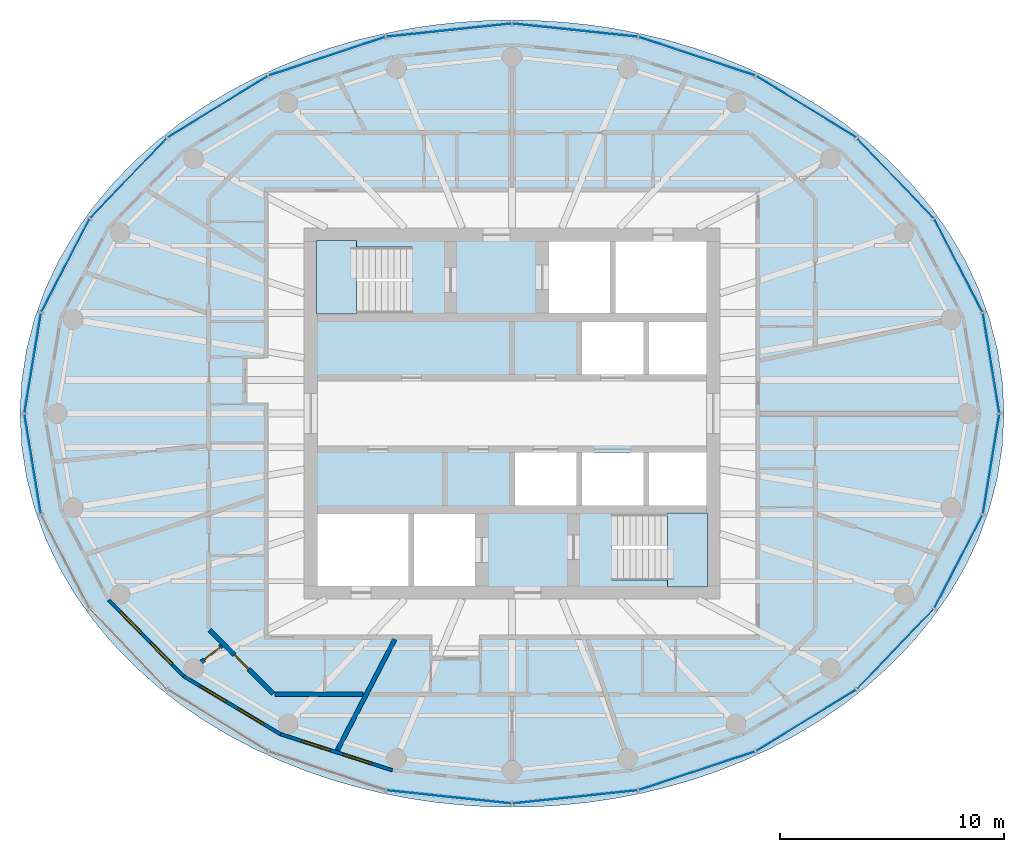
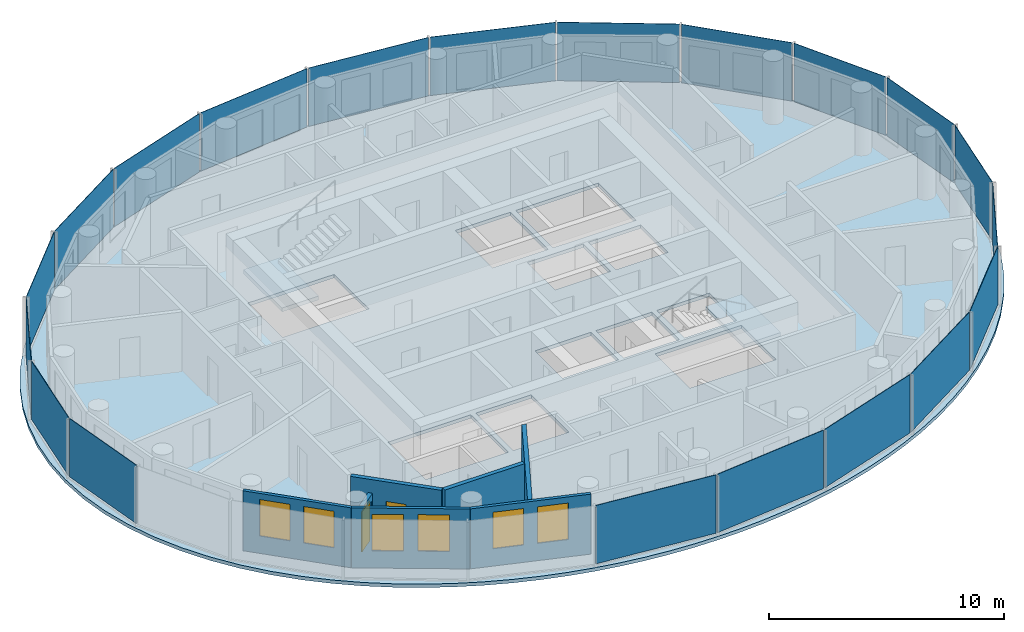
# One storey, part 4 of 11: 20 plates, 7 walls, 6 windows, 3 slabs, 2 doors, 8 openings, 6 elements without a shape of their own.
"""IFC4 building model written with IfcOpenShell, lengths in metres."""

from ifc_helpers import new_model, si_unit, direction, frame, frame_2d, origin, origin_2d, place, context, subcontext, project, spatial, polyline, rectangle, outline, extrude, material, layer, layer_set, type_object, element, fill, aggregate, save


model = new_model("IFC4")

# Units and contexts
model_context = context("Model", 3, precision=1e-05, world=origin(), true_north=direction((0.0, 1.0)))
body_context = subcontext(model_context, "Body", "Model", "MODEL_VIEW")
ifc_project = project(units=[si_unit("LENGTHUNIT", "METRE"), si_unit("AREAUNIT", "SQUARE_METRE"), si_unit("VOLUMEUNIT", "CUBIC_METRE"), si_unit("PLANEANGLEUNIT", "RADIAN"), si_unit("MASSUNIT", "GRAM", prefix="KILO")], contexts=[model_context])

# Site, building, storey
site_placement = place(None, origin())
site = spatial("IfcSite", under=ifc_project, at=site_placement, CompositionType="ELEMENT")
building_placement = place(site_placement, origin())
building = spatial("IfcBuilding", under=site, at=building_placement, Name="Hankou Lantern Tower", CompositionType="ELEMENT")
storey_placement = place(building_placement, frame((0.0, 0.0, 199.5)))
storey = spatial("IfcBuildingStorey", under=building, at=storey_placement, Name="L53", CompositionType="ELEMENT", Elevation=199.5)

# Curtain wall, plates
ifc_material_1 = material(Name="Glass, dark grey tinted laminated", Category="glass")
curtain_wall_type = type_object("IfcCurtainWallType", Name="CWD OUTER SKIN SUITE", PredefinedType="USERDEFINED", material=ifc_material_1)
curtain_wall_1_placement = place(storey_placement, origin())
curtain_wall_1 = element("IfcCurtainWall", 1, at=curtain_wall_1_placement, inside=storey, type_object=curtain_wall_type, Name="CWD L53 OS1", ObjectType="OUTER SKIN SUITE", PredefinedType="USERDEFINED")
ifc_material_2 = material(Name="Glass, dark grey tinted laminated", Category="glass")
ifc_layer_1 = layer(ifc_material_2, 0.02392578125)
ifc_layer_set_1 = layer_set([ifc_layer_1], Name="Glass, dark grey tinted laminated")
plate_type = type_object("IfcPlateType", Name="PN1 OUTER SKIN GLASS PANEL", PredefinedType="CURTAIN_PANEL", material=ifc_layer_set_1)
plate_1_placement = place(storey_placement, frame((21.4287109375, 2.2568359375, 0.080078125), z_axis=(0.0, 0.0, 1.0), x_axis=(-0.162381515188, 0.986728049427, 0.0)))
plate_1 = element("IfcPlate", 2, at=plate_1_placement, type_object=plate_type, Name="CWD glass panel 1", PredefinedType="CURTAIN_PANEL", context=body_context, shape_type="SweptSolid", body=[
    extrude(rectangle(XDim=4.49462890625, YDim=0.02392578125, at=origin_2d()), origin(), (0.0, 0.0, 1.0), 3.0400390625),
])
plate_2_placement = place(storey_placement, frame((19.96826171875, 6.616943359375, 0.080078125), z_axis=(0.0, 0.0, 1.0), x_axis=(-0.459791091957, 0.888027112062, 0.0)))
plate_2 = element("IfcPlate", 3, at=plate_2_placement, type_object=plate_type, Name="CWD glass panel 2", PredefinedType="CURTAIN_PANEL", context=body_context, shape_type="SweptSolid", body=[
    extrude(rectangle(XDim=4.656494140625, YDim=0.02392578125, at=origin_2d()), origin(), (0.0, 0.0, 1.0), 3.0400390625),
])
plate_3_placement = place(storey_placement, frame((17.147216796875, 10.52587890625, 0.080078125), z_axis=(0.0, 0.0, 1.0), x_axis=(-0.692215809936, 0.721690565599, 0.0)))
plate_3 = element("IfcPlate", 4, at=plate_3_placement, type_object=plate_type, Name="CWD glass panel 3", PredefinedType="CURTAIN_PANEL", context=body_context, shape_type="SweptSolid", body=[
    extrude(rectangle(XDim=4.9248046875, YDim=0.02392578125, at=origin_2d()), origin(), (0.0, 0.0, 1.0), 3.0400390625),
])
plate_4_placement = place(storey_placement, frame((13.157470703125, 13.7177734375, 0.080078125), z_axis=(0.0, 0.0, 1.0), x_axis=(-0.852237151549, 0.523155653242, 0.0)))
plate_4 = element("IfcPlate", 5, at=plate_4_placement, type_object=plate_type, Name="CWD glass panel 4", PredefinedType="CURTAIN_PANEL", context=body_context, shape_type="SweptSolid", body=[
    extrude(rectangle(XDim=5.2177734375, YDim=0.02392578125, at=origin_2d()), origin(), (0.0, 0.0, 1.0), 3.0400390625),
])
plate_5_placement = place(storey_placement, frame((8.271240234375, 15.974609375, 0.080078125), z_axis=(0.0, 0.0, 1.0), x_axis=(-0.949240677293, 0.31455068999, 0.0)))
plate_5 = element("IfcPlate", 6, at=plate_5_placement, type_object=plate_type, Name="CWD glass panel 5", PredefinedType="CURTAIN_PANEL", context=body_context, shape_type="SweptSolid", body=[
    extrude(rectangle(XDim=5.458984375, YDim=0.02392578125, at=origin_2d()), origin(), (0.0, 0.0, 1.0), 3.0400390625),
])
plate_6_placement = place(storey_placement, frame((2.821044921875, 17.142822265625, 0.080078125), z_axis=(0.0, 0.0, 1.0), x_axis=(-0.994499359107, 0.104742659579, 0.0)))
plate_6 = element("IfcPlate", 7, at=plate_6_placement, type_object=plate_type, Name="CWD glass panel 6", PredefinedType="CURTAIN_PANEL", context=body_context, shape_type="SweptSolid", body=[
    extrude(rectangle(XDim=5.593505859375, YDim=0.02392578125, at=origin_2d()), origin(), (0.0, 0.0, 1.0), 3.0400390625),
])
aggregate(curtain_wall_1, [plate_1, plate_2, plate_3, plate_4, plate_5, plate_6])

curtain_wall_2_placement = place(storey_placement, origin())
curtain_wall_2 = element("IfcCurtainWall", 8, at=curtain_wall_2_placement, inside=storey, type_object=curtain_wall_type, Name="CWD L53 OS2", ObjectType="OUTER SKIN SUITE", PredefinedType="USERDEFINED")
plate_7_placement = place(storey_placement, frame((-2.821044921875, 17.142822265625, 0.080078125), z_axis=(0.0, 0.0, 1.0), x_axis=(-0.994499359107, -0.104742659579, 0.0)))
plate_7 = element("IfcPlate", 9, at=plate_7_placement, type_object=plate_type, Name="CWD glass panel 1", PredefinedType="CURTAIN_PANEL", context=body_context, shape_type="SweptSolid", body=[
    extrude(rectangle(XDim=5.593505859375, YDim=0.02392578125, at=origin_2d()), origin(), (0.0, 0.0, 1.0), 3.0400390625),
])
plate_8_placement = place(storey_placement, frame((-8.271240234375, 15.974609375, 0.080078125), z_axis=(0.0, 0.0, 1.0), x_axis=(-0.949240677293, -0.31455068999, 0.0)))
plate_8 = element("IfcPlate", 10, at=plate_8_placement, type_object=plate_type, Name="CWD glass panel 2", PredefinedType="CURTAIN_PANEL", context=body_context, shape_type="SweptSolid", body=[
    extrude(rectangle(XDim=5.458984375, YDim=0.02392578125, at=origin_2d()), origin(), (0.0, 0.0, 1.0), 3.0400390625),
])
plate_9_placement = place(storey_placement, frame((-13.157470703125, 13.7177734375, 0.080078125), z_axis=(0.0, 0.0, 1.0), x_axis=(-0.852237151549, -0.523155653242, 0.0)))
plate_9 = element("IfcPlate", 11, at=plate_9_placement, type_object=plate_type, Name="CWD glass panel 3", PredefinedType="CURTAIN_PANEL", context=body_context, shape_type="SweptSolid", body=[
    extrude(rectangle(XDim=5.2177734375, YDim=0.02392578125, at=origin_2d()), origin(), (0.0, 0.0, 1.0), 3.0400390625),
])
plate_10_placement = place(storey_placement, frame((-17.147216796875, 10.52587890625, 0.080078125), z_axis=(0.0, 0.0, 1.0), x_axis=(-0.692215809936, -0.721690565599, 0.0)))
plate_10 = element("IfcPlate", 12, at=plate_10_placement, type_object=plate_type, Name="CWD glass panel 4", PredefinedType="CURTAIN_PANEL", context=body_context, shape_type="SweptSolid", body=[
    extrude(rectangle(XDim=4.9248046875, YDim=0.02392578125, at=origin_2d()), origin(), (0.0, 0.0, 1.0), 3.0400390625),
])
plate_11_placement = place(storey_placement, frame((-19.96826171875, 6.616943359375, 0.080078125), z_axis=(0.0, 0.0, 1.0), x_axis=(-0.459791091957, -0.888027112062, 0.0)))
plate_11 = element("IfcPlate", 13, at=plate_11_placement, type_object=plate_type, Name="CWD glass panel 5", PredefinedType="CURTAIN_PANEL", context=body_context, shape_type="SweptSolid", body=[
    extrude(rectangle(XDim=4.656494140625, YDim=0.02392578125, at=origin_2d()), origin(), (0.0, 0.0, 1.0), 3.0400390625),
])
plate_12_placement = place(storey_placement, frame((-21.4287109375, 2.2568359375, 0.080078125), z_axis=(0.0, 0.0, 1.0), x_axis=(-0.162381515188, -0.986728049427, 0.0)))
plate_12 = element("IfcPlate", 14, at=plate_12_placement, type_object=plate_type, Name="CWD glass panel 6", PredefinedType="CURTAIN_PANEL", context=body_context, shape_type="SweptSolid", body=[
    extrude(rectangle(XDim=4.49462890625, YDim=0.02392578125, at=origin_2d()), origin(), (0.0, 0.0, 1.0), 3.0400390625),
])
aggregate(curtain_wall_2, [plate_7, plate_8, plate_9, plate_10, plate_11, plate_12])

curtain_wall_3_placement = place(storey_placement, origin())
curtain_wall_3 = element("IfcCurtainWall", 15, at=curtain_wall_3_placement, inside=storey, type_object=curtain_wall_type, Name="CWD L53 OS3", ObjectType="OUTER SKIN SUITE", PredefinedType="USERDEFINED")
plate_13_placement = place(storey_placement, frame((-21.4287109375, -2.2568359375, 0.080078125), z_axis=(0.0, 0.0, 1.0), x_axis=(0.162381515188, -0.986728049427, 0.0)))
plate_13 = element("IfcPlate", 16, at=plate_13_placement, type_object=plate_type, Name="CWD glass panel 1", PredefinedType="CURTAIN_PANEL", context=body_context, shape_type="SweptSolid", body=[
    extrude(rectangle(XDim=4.49462890625, YDim=0.02392578125, at=origin_2d()), origin(), (0.0, 0.0, 1.0), 3.0400390625),
])
plate_14_placement = place(storey_placement, frame((-2.821044921875, -17.142822265625, 0.080078125), z_axis=(0.0, 0.0, 1.0), x_axis=(0.994499359107, -0.104742659579, 0.0)))
plate_14 = element("IfcPlate", 17, at=plate_14_placement, type_object=plate_type, Name="CWD glass panel 6", PredefinedType="CURTAIN_PANEL", context=body_context, shape_type="SweptSolid", body=[
    extrude(rectangle(XDim=5.593505859375, YDim=0.02392578125, at=origin_2d()), origin(), (0.0, 0.0, 1.0), 3.0400390625),
])
aggregate(curtain_wall_3, [plate_13, plate_14])

curtain_wall_4_placement = place(storey_placement, origin())
curtain_wall_4 = element("IfcCurtainWall", 18, at=curtain_wall_4_placement, inside=storey, type_object=curtain_wall_type, Name="CWD L53 OS4", ObjectType="OUTER SKIN SUITE", PredefinedType="USERDEFINED")
plate_15_placement = place(storey_placement, frame((2.821044921875, -17.142822265625, 0.080078125), z_axis=(0.0, 0.0, 1.0), x_axis=(0.994499359107, 0.104742659579, 0.0)))
plate_15 = element("IfcPlate", 19, at=plate_15_placement, type_object=plate_type, Name="CWD glass panel 1", PredefinedType="CURTAIN_PANEL", context=body_context, shape_type="SweptSolid", body=[
    extrude(rectangle(XDim=5.593505859375, YDim=0.02392578125, at=origin_2d()), origin(), (0.0, 0.0, 1.0), 3.0400390625),
])
plate_16_placement = place(storey_placement, frame((8.271240234375, -15.974609375, 0.080078125), z_axis=(0.0, 0.0, 1.0), x_axis=(0.949240677293, 0.31455068999, 0.0)))
plate_16 = element("IfcPlate", 20, at=plate_16_placement, type_object=plate_type, Name="CWD glass panel 2", PredefinedType="CURTAIN_PANEL", context=body_context, shape_type="SweptSolid", body=[
    extrude(rectangle(XDim=5.458984375, YDim=0.02392578125, at=origin_2d()), origin(), (0.0, 0.0, 1.0), 3.0400390625),
])
plate_17_placement = place(storey_placement, frame((13.157470703125, -13.7177734375, 0.080078125), z_axis=(0.0, 0.0, 1.0), x_axis=(0.852237151549, 0.523155653242, 0.0)))
plate_17 = element("IfcPlate", 21, at=plate_17_placement, type_object=plate_type, Name="CWD glass panel 3", PredefinedType="CURTAIN_PANEL", context=body_context, shape_type="SweptSolid", body=[
    extrude(rectangle(XDim=5.2177734375, YDim=0.02392578125, at=origin_2d()), origin(), (0.0, 0.0, 1.0), 3.0400390625),
])
plate_18_placement = place(storey_placement, frame((17.147216796875, -10.52587890625, 0.080078125), z_axis=(0.0, 0.0, 1.0), x_axis=(0.692215809936, 0.721690565599, 0.0)))
plate_18 = element("IfcPlate", 22, at=plate_18_placement, type_object=plate_type, Name="CWD glass panel 4", PredefinedType="CURTAIN_PANEL", context=body_context, shape_type="SweptSolid", body=[
    extrude(rectangle(XDim=4.9248046875, YDim=0.02392578125, at=origin_2d()), origin(), (0.0, 0.0, 1.0), 3.0400390625),
])
plate_19_placement = place(storey_placement, frame((19.96826171875, -6.616943359375, 0.080078125), z_axis=(0.0, 0.0, 1.0), x_axis=(0.459791091957, 0.888027112062, 0.0)))
plate_19 = element("IfcPlate", 23, at=plate_19_placement, type_object=plate_type, Name="CWD glass panel 5", PredefinedType="CURTAIN_PANEL", context=body_context, shape_type="SweptSolid", body=[
    extrude(rectangle(XDim=4.656494140625, YDim=0.02392578125, at=origin_2d()), origin(), (0.0, 0.0, 1.0), 3.0400390625),
])
plate_20_placement = place(storey_placement, frame((21.4287109375, -2.2568359375, 0.080078125), z_axis=(0.0, 0.0, 1.0), x_axis=(0.162381515188, 0.986728049427, 0.0)))
plate_20 = element("IfcPlate", 24, at=plate_20_placement, type_object=plate_type, Name="CWD glass panel 6", PredefinedType="CURTAIN_PANEL", context=body_context, shape_type="SweptSolid", body=[
    extrude(rectangle(XDim=4.49462890625, YDim=0.02392578125, at=origin_2d()), origin(), (0.0, 0.0, 1.0), 3.0400390625),
])
aggregate(curtain_wall_4, [plate_15, plate_16, plate_17, plate_18, plate_19, plate_20])

# Slab
ifc_material_3 = material(Name="Concrete C50", Category="concrete")
ifc_layer_2 = layer(ifc_material_3, 0.179931640625)
ifc_layer_set_2 = layer_set([ifc_layer_2], Name="Concrete C50")
slab_type_1 = type_object("IfcSlabType", Name="S1 CONCRETE FLOOR SLAB 180", PredefinedType="FLOOR", material=ifc_layer_set_2)
slab_1_placement = place(storey_placement, frame((0.0, 0.0, -0.179931640625)))
element("IfcSlab", 25, at=slab_1_placement, inside=storey, type_object=slab_type_1, Name="Floor slab L53", PredefinedType="FLOOR", context=body_context, shape_type="SweptSolid", body=[
    extrude(outline(polyline([(22.0, 0.0), (21.926513671875, 1.437255859375), (21.7080078125, 2.85791015625), (21.349853515625, 4.246826171875), (20.861083984375, 5.589599609375), (20.252197265625, 6.874755859375), (19.53662109375, 8.09228515625), (18.727783203125, 9.235595703125), (17.83935546875, 10.299560546875), (16.88525390625, 11.2822265625), (15.877197265625, 12.18310546875), (14.82666015625, 13.002685546875), (13.743408203125, 13.743408203125), (12.63525390625, 14.40771484375), (11.509521484375, 14.999267578125), (10.37109375, 15.521728515625), (9.224853515625, 15.97802734375), (8.07373046875, 16.3720703125), (6.920166015625, 16.70654296875), (5.765625, 16.98486328125), (4.611083984375, 17.208984375), (3.457275390625, 17.38134765625), (2.304443359375, 17.503173828125), (1.152099609375, 17.575927734375), (0.0, 17.60009765625), (-1.152099609375, 17.575927734375), (-2.304443359375, 17.503173828125), (-3.457275390625, 17.38134765625), (-4.611083984375, 17.208984375), (-5.765625, 16.98486328125), (-6.920166015625, 16.70654296875), (-8.07373046875, 16.3720703125), (-9.224853515625, 15.97802734375), (-10.37109375, 15.521728515625), (-11.509521484375, 14.999267578125), (-12.63525390625, 14.40771484375), (-13.743408203125, 13.743408203125), (-14.82666015625, 13.002685546875), (-15.877197265625, 12.18310546875), (-16.88525390625, 11.2822265625), (-17.83935546875, 10.299560546875), (-18.727783203125, 9.235595703125), (-19.53662109375, 8.09228515625), (-20.252197265625, 6.874755859375), (-20.861083984375, 5.589599609375), (-21.349853515625, 4.246826171875), (-21.7080078125, 2.85791015625), (-21.926513671875, 1.437255859375), (-22.0, 0.0), (-21.926513671875, -1.437255859375), (-21.7080078125, -2.85791015625), (-21.349853515625, -4.246826171875), (-20.861083984375, -5.589599609375), (-20.252197265625, -6.874755859375), (-19.53662109375, -8.09228515625), (-18.727783203125, -9.235595703125), (-17.83935546875, -10.299560546875), (-16.88525390625, -11.2822265625), (-15.877197265625, -12.18310546875), (-14.82666015625, -13.002685546875), (-13.743408203125, -13.743408203125), (-12.63525390625, -14.40771484375), (-11.509521484375, -14.999267578125), (-10.37109375, -15.521728515625), (-9.224853515625, -15.97802734375), (-8.07373046875, -16.3720703125), (-6.920166015625, -16.70654296875), (-5.765625, -16.98486328125), (-4.611083984375, -17.208984375), (-3.457275390625, -17.38134765625), (-2.304443359375, -17.503173828125), (-1.152099609375, -17.575927734375), (0.0, -17.60009765625), (1.152099609375, -17.575927734375), (2.304443359375, -17.503173828125), (3.457275390625, -17.38134765625), (4.611083984375, -17.208984375), (5.765625, -16.98486328125), (6.920166015625, -16.70654296875), (8.07373046875, -16.3720703125), (9.224853515625, -15.97802734375), (10.37109375, -15.521728515625), (11.509521484375, -14.999267578125), (12.63525390625, -14.40771484375), (13.743408203125, -13.743408203125), (14.82666015625, -13.002685546875), (15.877197265625, -12.18310546875), (16.88525390625, -11.2822265625), (17.83935546875, -10.299560546875), (18.727783203125, -9.235595703125), (19.53662109375, -8.09228515625), (20.252197265625, -6.874755859375), (20.861083984375, -5.589599609375), (21.349853515625, -4.246826171875), (21.7080078125, -2.85791015625), (21.926513671875, -1.437255859375), (22.0, 0.0)]), holes=[polyline([(3.125, 4.10009765625), (5.875, 4.10009765625), (5.875, 1.75), (3.125, 1.75), (3.125, 4.10009765625)]), polyline([(6.125, 4.10009765625), (8.699951171875, 4.10009765625), (8.699951171875, 1.75), (6.125, 1.75), (6.125, 4.10009765625)]), polyline([(0.125, -1.75), (2.875, -1.75), (2.875, -4.10009765625), (0.125, -4.10009765625), (0.125, -1.75)]), polyline([(3.125, -1.75), (5.875, -1.75), (5.875, -4.10009765625), (3.125, -4.10009765625), (3.125, -1.75)]), polyline([(6.125, -1.75), (8.699951171875, -1.75), (8.699951171875, -4.10009765625), (6.125, -4.10009765625), (6.125, -1.75)]), polyline([(1.64990234375, 7.699951171875), (4.375, 7.699951171875), (4.375, 4.5), (1.64990234375, 4.5), (1.64990234375, 7.699951171875)]), polyline([(-4.375, -4.5), (-1.64990234375, -4.5), (-1.64990234375, -7.699951171875), (-4.375, -7.699951171875), (-4.375, -4.5)]), polyline([(-8.699951171875, 7.449951171875), (-4.449951171875, 7.449951171875), (-4.449951171875, 4.5), (-8.699951171875, 4.5), (-8.699951171875, 7.449951171875)]), polyline([(4.449951171875, -4.5), (8.699951171875, -4.5), (8.699951171875, -7.449951171875), (4.449951171875, -7.449951171875), (4.449951171875, -4.5)]), polyline([(4.625, 7.699951171875), (8.699951171875, 7.699951171875), (8.699951171875, 4.5), (4.625, 4.5), (4.625, 7.699951171875)]), polyline([(-8.699951171875, -4.5), (-4.625, -4.5), (-4.625, -7.699951171875), (-8.699951171875, -7.699951171875), (-8.699951171875, -4.5)])]), origin(), (0.0, 0.0, 1.0), 0.179931640625),
])

# Stair, slab
ifc_material_4 = material(Name="Concrete C40", Category="concrete")
stair_type = type_object("IfcStairType", Name="ST33 CORE STAIR 3300 RISE", PredefinedType="HALF_TURN_STAIR", material=ifc_material_4)
stair_1_placement = place(storey_placement, origin())
stair_1 = element("IfcStair", 26, at=stair_1_placement, inside=storey, type_object=stair_type, Name="Stair STA L53", PredefinedType="HALF_TURN_STAIR")
ifc_material_5 = material(Name="Concrete C40", Category="concrete")
ifc_layer_3 = layer(ifc_material_5, 0.199951171875)
ifc_layer_set_3 = layer_set([ifc_layer_3], Name="Concrete C40")
slab_type_2 = type_object("IfcSlabType", Name="SL1 STAIR LANDING 200", PredefinedType="LANDING", material=ifc_layer_set_3)
slab_2_placement = place(storey_placement, frame((0.0, 0.0, 1.371337890625)))
slab_2 = element("IfcSlab", 27, at=slab_2_placement, type_object=slab_type_2, Name="STA landing 1", PredefinedType="LANDING", context=body_context, shape_type="SweptSolid", body=[
    extrude(outline(polyline([(-8.75, 4.449951171875), (-6.949951171875, 4.449951171875), (-6.949951171875, 7.75), (-8.75, 7.75), (-8.75, 4.449951171875)])), origin(), (0.0, 0.0, 1.0), 0.2001953125),
])
aggregate(stair_1, [slab_2])

stair_2_placement = place(storey_placement, origin())
stair_2 = element("IfcStair", 28, at=stair_2_placement, inside=storey, type_object=stair_type, Name="Stair STB L53", PredefinedType="HALF_TURN_STAIR")
slab_3_placement = place(storey_placement, frame((0.0, 0.0, 1.371337890625)))
slab_3 = element("IfcSlab", 29, at=slab_3_placement, type_object=slab_type_2, Name="STB landing 1", PredefinedType="LANDING", context=body_context, shape_type="SweptSolid", body=[
    extrude(outline(polyline([(8.75, -4.449951171875), (6.949951171875, -4.449951171875), (6.949951171875, -7.75), (8.75, -7.75), (8.75, -4.449951171875)])), origin(), (0.0, 0.0, 1.0), 0.2001953125),
])
aggregate(stair_2, [slab_3])

# Wall, openings, windows
ifc_material_6 = material(Name="Aluminium spandrel panel on steel studs", Category="steel")
ifc_layer_4 = layer(ifc_material_6, 0.14990234375)
ifc_layer_set_4 = layer_set([ifc_layer_4], Name="Aluminium spandrel panel on steel studs")
wall_type_1 = type_object("IfcWallType", Name="EW1 INNER SKIN WALL 150", PredefinedType="ELEMENTEDWALL", material=ifc_layer_set_4)
wall_1_placement = place(storey_placement, frame((-18.03955078125, -8.33203125, 0.0), z_axis=(0.0, 0.0, 1.0), x_axis=(0.701527379618, -0.712642501993, 0.0)))
wall_1 = element("IfcWall", 30, at=wall_1_placement, inside=storey, type_object=wall_type_1, Name="Inner skin R15-R16 L53", PredefinedType="ELEMENTEDWALL", context=body_context, shape_type="SweptSolid", body=[
    extrude(rectangle(XDim=4.788330078125, YDim=0.14990234375, at=frame_2d((2.39404296875, 0.0))), origin(), (0.0, 0.0, 1.0), 3.1201171875),
])
opening_1_placement = place(wall_1_placement, frame((0.744140625, 0.0, 0.89990234375)))
opening_1 = element("IfcOpeningElement", 31, at=opening_1_placement, cuts=wall_1, Name="Opening W4", PredefinedType="OPENING", context=body_context, shape_type="SweptSolid", body=[
    extrude(rectangle(XDim=1.35009765625, YDim=1.89990234375, at=frame_2d((0.675048828125, 0.949951171875))), frame((0.0, 0.0849609375, 0.0), z_axis=(0.0, -1.0, 0.0), x_axis=(1.0, 0.0, 0.0)), (0.0, 0.0, 1.0), 0.169921875),
])
opening_2_placement = place(wall_1_placement, frame((2.694091796875, 0.0, 0.89990234375)))
opening_2 = element("IfcOpeningElement", 32, at=opening_2_placement, cuts=wall_1, Name="Opening W4", PredefinedType="OPENING", context=body_context, shape_type="SweptSolid", body=[
    extrude(rectangle(XDim=1.35009765625, YDim=1.89990234375, at=frame_2d((0.675048828125, 0.949951171875))), frame((0.0, 0.0849609375, 0.0), z_axis=(0.0, -1.0, 0.0), x_axis=(1.0, 0.0, 0.0)), (0.0, 0.0, 1.0), 0.169921875),
])
ifc_material_7 = material(Name="Aluminium framed double glazed window", Category="aluminium")
window_type = type_object("IfcWindowType", Name="W4 SUITE WINDOW 1350X1900", PartitioningType="DOUBLE_PANEL_VERTICAL", PredefinedType="WINDOW", material=ifc_material_7)
window_1_placement = place(opening_1_placement, origin())
window_1 = element("IfcWindow", 33, at=window_1_placement, inside=storey, type_object=window_type, Name="Window R15.1 L53", OverallHeight=1.89990234375, OverallWidth=1.35009765625, PartitioningType="SINGLE_PANEL", PredefinedType="WINDOW", context=body_context, shape_type="SweptSolid", body=[
    extrude(rectangle(XDim=1.35009765625, YDim=1.89990234375, at=frame_2d((0.675048828125, 0.949951171875))), frame((0.0, 0.030029296875, 0.0), z_axis=(0.0, -1.0, 0.0), x_axis=(1.0, 0.0, 0.0)), (0.0, 0.0, 1.0), 0.06005859375),
])
fill(opening_1, window_1)
window_2_placement = place(opening_2_placement, origin())
window_2 = element("IfcWindow", 34, at=window_2_placement, inside=storey, type_object=window_type, Name="Window R15.2 L53", OverallHeight=1.89990234375, OverallWidth=1.35009765625, PartitioningType="SINGLE_PANEL", PredefinedType="WINDOW", context=body_context, shape_type="SweptSolid", body=[
    extrude(rectangle(XDim=1.35009765625, YDim=1.89990234375, at=frame_2d((0.675048828125, 0.949951171875))), frame((0.0, 0.030029296875, 0.0), z_axis=(0.0, -1.0, 0.0), x_axis=(1.0, 0.0, 0.0)), (0.0, 0.0, 1.0), 0.06005859375),
])
fill(opening_2, window_2)

wall_2_placement = place(storey_placement, frame((-14.680419921875, -11.744384765625, 0.0), z_axis=(0.0, 0.0, 1.0), x_axis=(0.85822150553, -0.513279502265, 0.0)))
wall_2 = element("IfcWall", 35, at=wall_2_placement, inside=storey, type_object=wall_type_1, Name="Inner skin R16-R17 L53", PredefinedType="ELEMENTEDWALL", context=body_context, shape_type="SweptSolid", body=[
    extrude(rectangle(XDim=5.050048828125, YDim=0.14990234375, at=frame_2d((2.52490234375, 0.0))), origin(), (0.0, 0.0, 1.0), 3.1201171875),
])
opening_3_placement = place(wall_2_placement, frame((0.875, 0.0, 0.89990234375)))
opening_3 = element("IfcOpeningElement", 36, at=opening_3_placement, cuts=wall_2, Name="Opening W4", PredefinedType="OPENING", context=body_context, shape_type="SweptSolid", body=[
    extrude(rectangle(XDim=1.35009765625, YDim=1.89990234375, at=frame_2d((0.675048828125, 0.949951171875))), frame((0.0, 0.0849609375, 0.0), z_axis=(0.0, -1.0, 0.0), x_axis=(1.0, 0.0, 0.0)), (0.0, 0.0, 1.0), 0.169921875),
])
opening_4_placement = place(wall_2_placement, frame((2.824951171875, 0.0, 0.89990234375)))
opening_4 = element("IfcOpeningElement", 37, at=opening_4_placement, cuts=wall_2, Name="Opening W4", PredefinedType="OPENING", context=body_context, shape_type="SweptSolid", body=[
    extrude(rectangle(XDim=1.35009765625, YDim=1.89990234375, at=frame_2d((0.675048828125, 0.949951171875))), frame((0.0, 0.0849609375, 0.0), z_axis=(0.0, -1.0, 0.0), x_axis=(1.0, 0.0, 0.0)), (0.0, 0.0, 1.0), 0.169921875),
])
window_3_placement = place(opening_3_placement, origin())
window_3 = element("IfcWindow", 38, at=window_3_placement, inside=storey, type_object=window_type, Name="Window R16.1 L53", OverallHeight=1.89990234375, OverallWidth=1.35009765625, PartitioningType="SINGLE_PANEL", PredefinedType="WINDOW", context=body_context, shape_type="SweptSolid", body=[
    extrude(rectangle(XDim=1.35009765625, YDim=1.89990234375, at=frame_2d((0.675048828125, 0.949951171875))), frame((0.0, 0.030029296875, 0.0), z_axis=(0.0, -1.0, 0.0), x_axis=(1.0, 0.0, 0.0)), (0.0, 0.0, 1.0), 0.06005859375),
])
fill(opening_3, window_3)
window_4_placement = place(opening_4_placement, origin())
window_4 = element("IfcWindow", 39, at=window_4_placement, inside=storey, type_object=window_type, Name="Window R16.2 L53", OverallHeight=1.89990234375, OverallWidth=1.35009765625, PartitioningType="SINGLE_PANEL", PredefinedType="WINDOW", context=body_context, shape_type="SweptSolid", body=[
    extrude(rectangle(XDim=1.35009765625, YDim=1.89990234375, at=frame_2d((0.675048828125, 0.949951171875))), frame((0.0, 0.030029296875, 0.0), z_axis=(0.0, -1.0, 0.0), x_axis=(1.0, 0.0, 0.0)), (0.0, 0.0, 1.0), 0.06005859375),
])
fill(opening_4, window_4)

wall_3_placement = place(storey_placement, frame((-10.346435546875, -14.33642578125, 0.0), z_axis=(0.0, 0.0, 1.0), x_axis=(0.951644702515, -0.307200846638, 0.0)))
wall_3 = element("IfcWall", 40, at=wall_3_placement, inside=storey, type_object=wall_type_1, Name="Inner skin R17-R18 L53", PredefinedType="ELEMENTEDWALL", context=body_context, shape_type="SweptSolid", body=[
    extrude(rectangle(XDim=5.2578125, YDim=0.14990234375, at=frame_2d((2.62890625, 0.0))), origin(), (0.0, 0.0, 1.0), 3.1201171875),
])
opening_5_placement = place(wall_3_placement, frame((0.97900390625, 0.0, 0.89990234375)))
opening_5 = element("IfcOpeningElement", 41, at=opening_5_placement, cuts=wall_3, Name="Opening W4", PredefinedType="OPENING", context=body_context, shape_type="SweptSolid", body=[
    extrude(rectangle(XDim=1.35009765625, YDim=1.89990234375, at=frame_2d((0.675048828125, 0.949951171875))), frame((0.0, 0.0849609375, 0.0), z_axis=(0.0, -1.0, 0.0), x_axis=(1.0, 0.0, 0.0)), (0.0, 0.0, 1.0), 0.169921875),
])
opening_6_placement = place(wall_3_placement, frame((2.928955078125, 0.0, 0.89990234375)))
opening_6 = element("IfcOpeningElement", 42, at=opening_6_placement, cuts=wall_3, Name="Opening W4", PredefinedType="OPENING", context=body_context, shape_type="SweptSolid", body=[
    extrude(rectangle(XDim=1.35009765625, YDim=1.89990234375, at=frame_2d((0.675048828125, 0.949951171875))), frame((0.0, 0.0849609375, 0.0), z_axis=(0.0, -1.0, 0.0), x_axis=(1.0, 0.0, 0.0)), (0.0, 0.0, 1.0), 0.169921875),
])
window_5_placement = place(opening_5_placement, origin())
window_5 = element("IfcWindow", 43, at=window_5_placement, inside=storey, type_object=window_type, Name="Window R17.1 L53", OverallHeight=1.89990234375, OverallWidth=1.35009765625, PartitioningType="SINGLE_PANEL", PredefinedType="WINDOW", context=body_context, shape_type="SweptSolid", body=[
    extrude(rectangle(XDim=1.35009765625, YDim=1.89990234375, at=frame_2d((0.675048828125, 0.949951171875))), frame((0.0, 0.030029296875, 0.0), z_axis=(0.0, -1.0, 0.0), x_axis=(1.0, 0.0, 0.0)), (0.0, 0.0, 1.0), 0.06005859375),
])
fill(opening_5, window_5)
window_6_placement = place(opening_6_placement, origin())
window_6 = element("IfcWindow", 44, at=window_6_placement, inside=storey, type_object=window_type, Name="Window R17.2 L53", OverallHeight=1.89990234375, OverallWidth=1.35009765625, PartitioningType="SINGLE_PANEL", PredefinedType="WINDOW", context=body_context, shape_type="SweptSolid", body=[
    extrude(rectangle(XDim=1.35009765625, YDim=1.89990234375, at=frame_2d((0.675048828125, 0.949951171875))), frame((0.0, 0.030029296875, 0.0), z_axis=(0.0, -1.0, 0.0), x_axis=(1.0, 0.0, 0.0)), (0.0, 0.0, 1.0), 0.06005859375),
])
fill(opening_6, window_6)

# Wall
ifc_material_8 = material(Name="Masonry lightweight concrete block", Category="masonry")
ifc_layer_5 = layer(ifc_material_8, 0.199951171875)
ifc_layer_set_5 = layer_set([ifc_layer_5], Name="Masonry lightweight concrete block")
wall_type_2 = type_object("IfcWallType", Name="IW1 GUEST ROOM PARTY WALL 200", PredefinedType="PARTITIONING", material=ifc_layer_set_5)
wall_4_placement = place(storey_placement, frame((-5.2412109375, -10.10009765625, 0.0), z_axis=(0.0, 0.0, 1.0), x_axis=(-0.460603196597, -0.887606160008, 0.0)))
element("IfcWall", 45, at=wall_4_placement, inside=storey, type_object=wall_type_2, Name="Party wall R17-R18", PredefinedType="PARTITIONING", context=body_context, shape_type="SweptSolid", body=[
    extrude(rectangle(XDim=5.580322265625, YDim=0.199951171875, at=frame_2d((2.7900390625, 0.0))), origin(), (0.0, 0.0, 1.0), 3.1201171875),
])

# Wall, opening, door
ifc_material_9 = material(Name="Masonry lightweight concrete block", Category="masonry")
ifc_layer_6 = layer(ifc_material_9, 0.199951171875)
ifc_layer_set_6 = layer_set([ifc_layer_6], Name="Masonry lightweight concrete block")
wall_type_3 = type_object("IfcWallType", Name="IW6 SUITE PARTITION 200", PredefinedType="PARTITIONING", material=ifc_layer_set_6)
wall_5_placement = place(storey_placement, frame((-13.520751953125, -9.67919921875, 0.0), z_axis=(0.0, 0.0, 1.0), x_axis=(0.707106781187, -0.707106781187, 0.0)))
wall_5 = element("IfcWall", 46, at=wall_5_placement, inside=storey, type_object=wall_type_3, Name="Suite foyer wall 5305", PredefinedType="PARTITIONING", context=body_context, shape_type="SweptSolid", body=[
    extrude(rectangle(XDim=4.0185546875, YDim=0.199951171875, at=frame_2d((2.00927734375, 0.0))), origin(), (0.0, 0.0, 1.0), 3.1201171875),
])
opening_7_placement = place(wall_5_placement, frame((1.570068359375, 0.0, 0.0)))
opening_7 = element("IfcOpeningElement", 47, at=opening_7_placement, cuts=wall_5, Name="Opening D27", PredefinedType="OPENING", context=body_context, shape_type="SweptSolid", body=[
    extrude(rectangle(XDim=0.89990234375, YDim=2.10009765625, at=frame_2d((0.449951171875, 1.050048828125))), frame((0.0, 0.10986328125, 0.0), z_axis=(0.0, -1.0, 0.0), x_axis=(1.0, 0.0, 0.0)), (0.0, 0.0, 1.0), 0.219970703125),
])
ifc_material_10 = material(Name="Timber door leaf", Category="wood")
door_type = type_object("IfcDoorType", Name="D27 INTERNAL DOOR 900X2100", OperationType="SINGLE_SWING_LEFT", PredefinedType="DOOR", material=ifc_material_10)
door_1_placement = place(opening_7_placement, origin())
door_1 = element("IfcDoor", 48, at=door_1_placement, inside=storey, type_object=door_type, Name="Suite 5305 living room door", OperationType="SINGLE_SWING_RIGHT", OverallHeight=2.10009765625, OverallWidth=0.89990234375, PredefinedType="DOOR", context=body_context, shape_type="SweptSolid", body=[
    extrude(rectangle(XDim=0.89990234375, YDim=2.10009765625, at=frame_2d((0.449951171875, 1.050048828125))), frame((0.0, 0.02490234375, 0.0), z_axis=(0.0, -1.0, 0.0), x_axis=(1.0, 0.0, 0.0)), (0.0, 0.0, 1.0), 0.050048828125),
])
fill(opening_7, door_1)

# Wall
wall_6_placement = place(storey_placement, frame((-10.608642578125, -12.550048828125, 0.0), z_axis=(0.0, 0.0, 1.0), x_axis=(1.0, 0.0, 0.0)))
element("IfcWall", 49, at=wall_6_placement, inside=storey, type_object=wall_type_3, Name="Suite foyer wall 5305", PredefinedType="PARTITIONING", context=body_context, shape_type="SweptSolid", body=[
    extrude(rectangle(XDim=3.947265625, YDim=0.199951171875, at=frame_2d((1.9736328125, 0.0))), origin(), (0.0, 0.0, 1.0), 3.1201171875),
])

# Wall, opening, door
wall_7_placement = place(storey_placement, frame((-12.967529296875, -10.3740234375, 0.0), z_axis=(0.0, 0.0, 1.0), x_axis=(-0.780888968944, -0.624669847345, 0.0)))
wall_7 = element("IfcWall", 50, at=wall_7_placement, inside=storey, type_object=wall_type_3, Name="Suite partition R16", PredefinedType="PARTITIONING", context=body_context, shape_type="SweptSolid", body=[
    extrude(rectangle(XDim=1.181396484375, YDim=0.199951171875, at=frame_2d((0.5908203125, 0.0))), origin(), (0.0, 0.0, 1.0), 2.419921875),
])
opening_8_placement = place(wall_7_placement, frame((0.1201171875, 0.0, 0.0)))
opening_8 = element("IfcOpeningElement", 51, at=opening_8_placement, cuts=wall_7, Name="Opening D27", PredefinedType="OPENING", context=body_context, shape_type="SweptSolid", body=[
    extrude(rectangle(XDim=0.89990234375, YDim=2.10009765625, at=frame_2d((0.449951171875, 1.050048828125))), frame((0.0, 0.10986328125, 0.0), z_axis=(0.0, -1.0, 0.0), x_axis=(1.0, 0.0, 0.0)), (0.0, 0.0, 1.0), 0.219970703125),
])
door_2_placement = place(opening_8_placement, origin())
door_2 = element("IfcDoor", 52, at=door_2_placement, inside=storey, type_object=door_type, Name="Suite 5305 bedroom door", OperationType="SINGLE_SWING_LEFT", OverallHeight=2.10009765625, OverallWidth=0.89990234375, PredefinedType="DOOR", context=body_context, shape_type="SweptSolid", body=[
    extrude(rectangle(XDim=0.89990234375, YDim=2.10009765625, at=frame_2d((0.449951171875, 1.050048828125))), frame((0.0, 0.02490234375, 0.0), z_axis=(0.0, -1.0, 0.0), x_axis=(1.0, 0.0, 0.0)), (0.0, 0.0, 1.0), 0.050048828125),
])
fill(opening_8, door_2)

save(model, "model.ifc")
